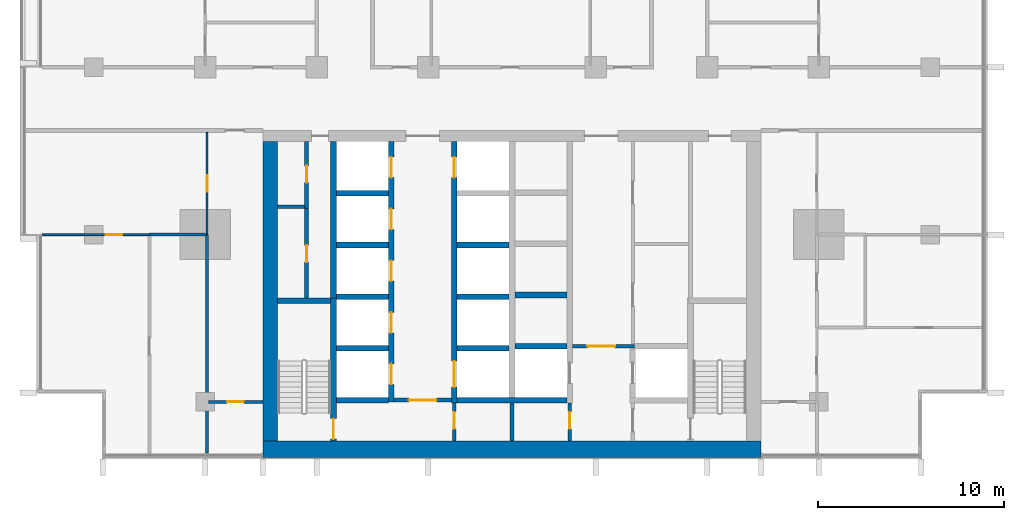
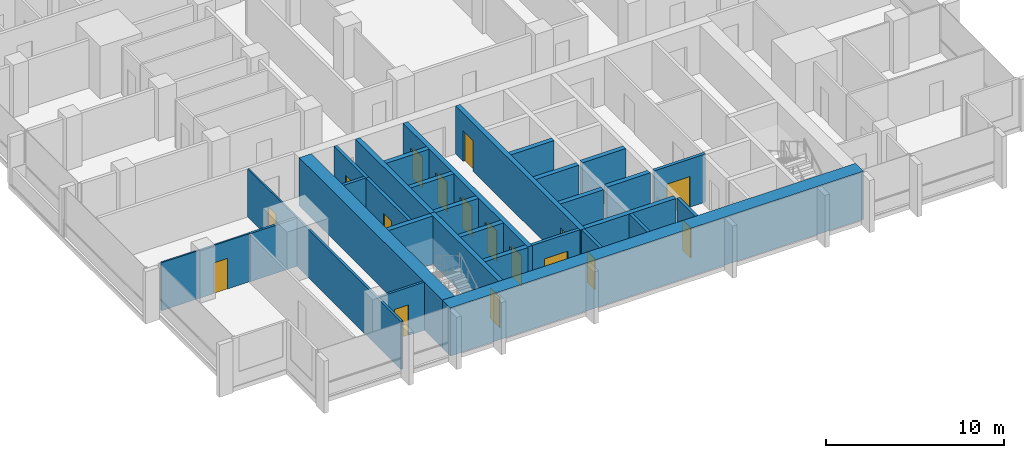
# One storey, part 7 of 17: 31 walls, 17 doors, 17 openings.
"""IFC4 building model written with IfcOpenShell, lengths in metres."""

from ifc_helpers import new_model, si_unit, direction, frame, frame_2d, origin, place, context, subcontext, project, spatial, rectangle, extrude, material, layer, layer_set, type_object, element, fill, save


model = new_model("IFC4")

# Units and contexts
model_context = context("Model", 3, precision=1e-05, world=origin(), true_north=direction((0.0, 1.0)))
body_context = subcontext(model_context, "Body", "Model", "MODEL_VIEW")
ifc_project = project(units=[si_unit("LENGTHUNIT", "METRE"), si_unit("AREAUNIT", "SQUARE_METRE"), si_unit("VOLUMEUNIT", "CUBIC_METRE"), si_unit("PLANEANGLEUNIT", "RADIAN"), si_unit("MASSUNIT", "GRAM", prefix="KILO")], contexts=[model_context])

# Site, building, storey
site_placement = place(None, origin())
site = spatial("IfcSite", under=ifc_project, at=site_placement, CompositionType="ELEMENT")
building_placement = place(site_placement, origin())
building = spatial("IfcBuilding", under=site, at=building_placement, Name="Finial Court Residences", CompositionType="ELEMENT")
storey_placement = place(building_placement, frame((0.0, 0.0, 124.300048828125)))
storey = spatial("IfcBuildingStorey", under=building, at=storey_placement, Name="L31", CompositionType="ELEMENT", Elevation=124.300048828125)

# Walls
ifc_material_1 = material(Name="Concrete C70/85", Category="concrete")
ifc_layer_1 = layer(ifc_material_1, 0.800048828125)
ifc_layer_set_1 = layer_set([ifc_layer_1], Name="Core outer wall 800 Concrete C70/85")
wall_type_1 = type_object("IfcWallType", Name="Core outer wall 800 Concrete C70/85", PredefinedType="SHEAR", material=ifc_layer_set_1)
wall_1_placement = place(storey_placement, frame((-13.0, -24.60009765625, 0.0), z_axis=(0.0, 0.0, 1.0), x_axis=(0.0, 1.0, 0.0)))
element("IfcWall", 1, at=wall_1_placement, inside=storey, type_object=wall_type_1, Name="Core outer wall L31-03", PredefinedType="SHEAR", context=body_context, shape_type="SweptSolid", body=[
    extrude(rectangle(XDim=16.10009765625, YDim=0.800048828125, at=frame_2d((8.050048828125, 0.0))), origin(), (0.0, 0.0, 1.0), 3.300048828125),
])
ifc_layer_2 = layer(ifc_material_1, 0.89990234375)
ifc_layer_set_2 = layer_set([ifc_layer_2], Name="Core south facade wall 900 Concrete C70/85")
wall_type_2 = type_object("IfcWallType", Name="Core south facade wall 900 Concrete C70/85", PredefinedType="SHEAR", material=ifc_layer_set_2)
wall_2_placement = place(storey_placement, frame((-13.39990234375, -25.050048828125, 0.0), z_axis=(0.0, 0.0, 1.0), x_axis=(1.0, 0.0, 0.0)))
element("IfcWall", 2, at=wall_2_placement, inside=storey, type_object=wall_type_2, Name="Core outer wall L31-01", PredefinedType="SHEAR", context=body_context, shape_type="SweptSolid", body=[
    extrude(rectangle(XDim=26.7998046875, YDim=0.89990234375, at=frame_2d((13.39990234375, 0.0))), origin(), (0.0, 0.0, 1.0), 3.300048828125),
])

# Wall, opening, door
ifc_material_2 = material(Name="Fire-rated gypsum board partition")
ifc_layer_3 = layer(ifc_material_2, 0.199951171875)
ifc_layer_set_3 = layer_set([ifc_layer_3], Name="Firefighting lobby wall 200 EI 120")
wall_type_3 = type_object("IfcWallType", Name="Firefighting lobby wall 200 EI 120", PredefinedType="PARTITIONING", material=ifc_layer_set_3)
wall_3_placement = place(storey_placement, frame((6.574951171875, -19.5, 0.0), z_axis=(0.0, 0.0, 1.0), x_axis=(-1.0, 0.0, 0.0)))
wall_3 = element("IfcWall", 3, at=wall_3_placement, inside=storey, type_object=wall_type_3, Name="Core partition L31-08", PredefinedType="PARTITIONING", context=body_context, shape_type="SweptSolid", body=[
    extrude(rectangle(XDim=3.324951171875, YDim=0.199951171875, at=frame_2d((1.66259765625, 0.0))), origin(), (0.0, 0.0, 1.0), 3.300048828125),
])
opening_1_placement = place(wall_3_placement, frame((1.02490234375, 0.0, 0.0)))
opening_1 = element("IfcOpeningElement", 4, at=opening_1_placement, cuts=wall_3, Name="Opening L31-C02", PredefinedType="OPENING", context=body_context, shape_type="SweptSolid", body=[
    extrude(rectangle(XDim=1.5, YDim=2.10009765625, at=frame_2d((0.75, 1.050048828125))), frame((0.0, 0.10986328125, 0.0), z_axis=(0.0, -1.0, 0.0), x_axis=(1.0, 0.0, 0.0)), (0.0, 0.0, 1.0), 0.219970703125),
])
ifc_material_3 = material(Name="Steel fire door", Category="steel")
door_type_1 = type_object("IfcDoorType", Name="Firefighting lobby door 1500 x 2100 EI 90", OperationType="DOUBLE_DOOR_SINGLE_SWING", PredefinedType="DOOR", material=ifc_material_3)
door_1_placement = place(opening_1_placement, origin())
door_1 = element("IfcDoor", 5, at=door_1_placement, inside=storey, type_object=door_type_1, Name="Firefighting lobby door L31-C02", OperationType="DOUBLE_DOOR_SINGLE_SWING", OverallHeight=2.10009765625, OverallWidth=1.5, PredefinedType="DOOR", context=body_context, shape_type="SweptSolid", body=[
    extrude(rectangle(XDim=1.5, YDim=2.10009765625, at=frame_2d((0.75, 1.050048828125))), frame((0.0, 0.02490234375, 0.0), z_axis=(0.0, -1.0, 0.0), x_axis=(1.0, 0.0, 0.0)), (0.0, 0.0, 1.0), 0.050048828125),
])
fill(opening_1, door_1)

wall_4_placement = place(storey_placement, frame((3.10009765625, -24.60009765625, 0.0), z_axis=(0.0, 0.0, 1.0), x_axis=(0.0, 1.0, 0.0)))
wall_4 = element("IfcWall", 6, at=wall_4_placement, inside=storey, type_object=wall_type_3, Name="Core partition L31-32", PredefinedType="PARTITIONING", context=body_context, shape_type="SweptSolid", body=[
    extrude(rectangle(XDim=2.050048828125, YDim=0.199951171875, at=frame_2d((1.02490234375, 0.0))), origin(), (0.0, 0.0, 1.0), 3.300048828125),
])
opening_2_placement = place(wall_4_placement, frame((0.64990234375, 0.0, 0.0)))
opening_2 = element("IfcOpeningElement", 7, at=opening_2_placement, cuts=wall_4, Name="Opening L31-C06", PredefinedType="OPENING", context=body_context, shape_type="SweptSolid", body=[
    extrude(rectangle(XDim=0.89990234375, YDim=2.10009765625, at=frame_2d((0.449951171875, 1.050048828125))), frame((0.0, 0.10986328125, 0.0), z_axis=(0.0, -1.0, 0.0), x_axis=(1.0, 0.0, 0.0)), (0.0, 0.0, 1.0), 0.219970703125),
])
door_type_2 = type_object("IfcDoorType", Name="Riser room door 900 x 2100 EI 90", OperationType="NOTDEFINED", PredefinedType="DOOR", material=ifc_material_3)
door_2_placement = place(opening_2_placement, origin())
door_2 = element("IfcDoor", 8, at=door_2_placement, inside=storey, type_object=door_type_2, Name="Riser room door L31-C06", OperationType="SINGLE_SWING_LEFT", OverallHeight=2.10009765625, OverallWidth=0.89990234375, PredefinedType="DOOR", context=body_context, shape_type="SweptSolid", body=[
    extrude(rectangle(XDim=0.89990234375, YDim=2.10009765625, at=frame_2d((0.449951171875, 1.050048828125))), frame((0.0, 0.02490234375, 0.0), z_axis=(0.0, -1.0, 0.0), x_axis=(1.0, 0.0, 0.0)), (0.0, 0.0, 1.0), 0.050048828125),
])
fill(opening_2, door_2)

ifc_material_4 = material(Name="Gypsum board")
ifc_layer_4 = layer(ifc_material_4, 0.012451171875)
ifc_material_5 = material(Name="Mineral wool in light-gauge frame")
ifc_layer_5 = layer(ifc_material_5, 0.074951171875)
ifc_layer_6 = layer(ifc_material_4, 0.012451171875)
ifc_layer_set_4 = layer_set([ifc_layer_4, ifc_layer_5, ifc_layer_6], Name="Gypsum board partition 100")
wall_type_4 = type_object("IfcWallType", Name="Gypsum board partition 100", PredefinedType="PARTITIONING", material=ifc_layer_set_4)
wall_5_placement = place(storey_placement, frame((-25.25, -13.5, 0.0), z_axis=(0.0, 0.0, 1.0), x_axis=(1.0, 0.0, 0.0)))
wall_5 = element("IfcWall", 9, at=wall_5_placement, inside=storey, type_object=wall_type_4, Name="Partition L31-004", PredefinedType="PARTITIONING", context=body_context, shape_type="SweptSolid", body=[
    extrude(rectangle(XDim=5.75, YDim=0.10009765625, at=frame_2d((2.875, 0.0))), origin(), (0.0, 0.0, 1.0), 3.300048828125),
])
opening_3_placement = place(wall_5_placement, frame((3.39990234375, 0.0, 0.0)))
opening_3 = element("IfcOpeningElement", 10, at=opening_3_placement, cuts=wall_5, Name="Opening L31-D004", PredefinedType="OPENING", context=body_context, shape_type="SweptSolid", body=[
    extrude(rectangle(XDim=0.89990234375, YDim=2.10009765625, at=frame_2d((0.449951171875, 1.050048828125))), frame((0.0, 0.06005859375, 0.0), z_axis=(0.0, -1.0, 0.0), x_axis=(1.0, 0.0, 0.0)), (0.0, 0.0, 1.0), 0.1201171875),
])
ifc_material_6 = material(Name="Timber door leaf in timber frame", Category="wood")
door_type_3 = type_object("IfcDoorType", Name="Door set 900 x 2100", OperationType="SINGLE_SWING_LEFT", PredefinedType="DOOR", material=ifc_material_6)
door_3_placement = place(opening_3_placement, origin())
door_3 = element("IfcDoor", 11, at=door_3_placement, inside=storey, type_object=door_type_3, Name="Door L31-D004", OperationType="SINGLE_SWING_RIGHT", OverallHeight=2.10009765625, OverallWidth=0.89990234375, PredefinedType="DOOR", context=body_context, shape_type="SweptSolid", body=[
    extrude(rectangle(XDim=0.89990234375, YDim=2.10009765625, at=frame_2d((0.449951171875, 1.050048828125))), frame((0.0, 0.02490234375, 0.0), z_axis=(0.0, -1.0, 0.0), x_axis=(1.0, 0.0, 0.0)), (0.0, 0.0, 1.0), 0.050048828125),
])
fill(opening_3, door_3)

wall_6_placement = place(storey_placement, frame((-16.39990234375, -13.5, 0.0), z_axis=(0.0, 0.0, 1.0), x_axis=(0.0, 1.0, 0.0)))
wall_6 = element("IfcWall", 12, at=wall_6_placement, inside=storey, type_object=wall_type_4, Name="Partition L31-052", PredefinedType="PARTITIONING", context=body_context, shape_type="SweptSolid", body=[
    extrude(rectangle(XDim=5.5, YDim=0.10009765625, at=frame_2d((2.75, 0.0))), origin(), (0.0, 0.0, 1.0), 3.300048828125),
])
opening_4_placement = place(wall_6_placement, frame((2.300048828125, 0.0, 0.0)))
opening_4 = element("IfcOpeningElement", 13, at=opening_4_placement, cuts=wall_6, Name="Opening L31-D029", PredefinedType="OPENING", context=body_context, shape_type="SweptSolid", body=[
    extrude(rectangle(XDim=0.89990234375, YDim=2.10009765625, at=frame_2d((0.449951171875, 1.050048828125))), frame((0.0, 0.06005859375, 0.0), z_axis=(0.0, -1.0, 0.0), x_axis=(1.0, 0.0, 0.0)), (0.0, 0.0, 1.0), 0.1201171875),
])
door_4_placement = place(opening_4_placement, origin())
door_4 = element("IfcDoor", 14, at=door_4_placement, inside=storey, type_object=door_type_3, Name="Door L31-D029", OperationType="SINGLE_SWING_LEFT", OverallHeight=2.10009765625, OverallWidth=0.89990234375, PredefinedType="DOOR", context=body_context, shape_type="SweptSolid", body=[
    extrude(rectangle(XDim=0.89990234375, YDim=2.10009765625, at=frame_2d((0.449951171875, 1.050048828125))), frame((0.0, 0.02490234375, 0.0), z_axis=(0.0, -1.0, 0.0), x_axis=(1.0, 0.0, 0.0)), (0.0, 0.0, 1.0), 0.050048828125),
])
fill(opening_4, door_4)

ifc_material_7 = material(Name="Moisture-resistant gypsum board")
ifc_layer_7 = layer(ifc_material_7, 0.012451171875)
ifc_layer_8 = layer(ifc_material_5, 0.125)
ifc_layer_9 = layer(ifc_material_7, 0.012451171875)
ifc_layer_set_5 = layer_set([ifc_layer_7, ifc_layer_8, ifc_layer_9], Name="Gypsum board wet-area partition 150")
wall_type_5 = type_object("IfcWallType", Name="Gypsum board wet-area partition 150", PredefinedType="PARTITIONING", material=ifc_layer_set_5)
wall_7_placement = place(storey_placement, frame((-16.324951171875, -22.5, 0.0), z_axis=(0.0, 0.0, 1.0), x_axis=(1.0, 0.0, 0.0)))
wall_7 = element("IfcWall", 15, at=wall_7_placement, inside=storey, type_object=wall_type_5, Name="Partition L31-000", PredefinedType="PARTITIONING", context=body_context, shape_type="SweptSolid", body=[
    extrude(rectangle(XDim=2.925048828125, YDim=0.14990234375, at=frame_2d((1.46240234375, 0.0))), origin(), (0.0, 0.0, 1.0), 3.300048828125),
])
opening_5_placement = place(wall_7_placement, frame((1.0, 0.0, 0.0)))
opening_5 = element("IfcOpeningElement", 16, at=opening_5_placement, cuts=wall_7, Name="Opening L31-D001", PredefinedType="OPENING", context=body_context, shape_type="SweptSolid", body=[
    extrude(rectangle(XDim=0.89990234375, YDim=2.10009765625, at=frame_2d((0.449951171875, 1.050048828125))), frame((0.0, 0.0849609375, 0.0), z_axis=(0.0, -1.0, 0.0), x_axis=(1.0, 0.0, 0.0)), (0.0, 0.0, 1.0), 0.169921875),
])
door_5_placement = place(opening_5_placement, origin())
door_5 = element("IfcDoor", 17, at=door_5_placement, inside=storey, type_object=door_type_3, Name="Door L31-D001", OperationType="SINGLE_SWING_LEFT", OverallHeight=2.10009765625, OverallWidth=0.89990234375, PredefinedType="DOOR", context=body_context, shape_type="SweptSolid", body=[
    extrude(rectangle(XDim=0.89990234375, YDim=2.10009765625, at=frame_2d((0.449951171875, 1.050048828125))), frame((0.0, 0.02490234375, 0.0), z_axis=(0.0, -1.0, 0.0), x_axis=(1.0, 0.0, 0.0)), (0.0, 0.0, 1.0), 0.050048828125),
])
fill(opening_5, door_5)

# Walls
wall_8_placement = place(storey_placement, frame((-19.5, -13.5, 0.0), z_axis=(0.0, 0.0, 1.0), x_axis=(1.0, 0.0, 0.0)))
element("IfcWall", 18, at=wall_8_placement, inside=storey, type_object=wall_type_5, Name="Partition L31-006", PredefinedType="PARTITIONING", context=body_context, shape_type="SweptSolid", body=[
    extrude(rectangle(XDim=3.02490234375, YDim=0.14990234375, at=frame_2d((1.512451171875, 0.0))), origin(), (0.0, 0.0, 1.0), 3.300048828125),
])
wall_9_placement = place(storey_placement, frame((-16.39990234375, -25.25, 0.0), z_axis=(0.0, 0.0, 1.0), x_axis=(0.0, 1.0, 0.0)))
element("IfcWall", 19, at=wall_9_placement, inside=storey, type_object=wall_type_5, Name="Partition L31-053", PredefinedType="PARTITIONING", context=body_context, shape_type="SweptSolid", body=[
    extrude(rectangle(XDim=11.75, YDim=0.14990234375, at=frame_2d((5.875, 0.0))), origin(), (0.0, 0.0, 1.0), 3.300048828125),
])
ifc_layer_10 = layer(ifc_material_1, 0.300048828125)
ifc_layer_set_6 = layer_set([ifc_layer_10], Name="Lift shaft and stair wall 300 Concrete C70/85")
wall_type_6 = type_object("IfcWallType", Name="Lift shaft and stair wall 300 Concrete C70/85", PredefinedType="SHEAR", material=ifc_layer_set_6)
wall_10_placement = place(storey_placement, frame((-9.449951171875, -22.39990234375, 0.0), z_axis=(0.0, 0.0, 1.0), x_axis=(1.0, 0.0, 0.0)))
element("IfcWall", 20, at=wall_10_placement, inside=storey, type_object=wall_type_6, Name="Core wall L31-01", PredefinedType="SHEAR", context=body_context, shape_type="SweptSolid", body=[
    extrude(rectangle(XDim=2.800048828125, YDim=0.300048828125, at=frame_2d((1.39990234375, 0.0))), origin(), (0.0, 0.0, 1.0), 3.300048828125),
])
wall_11_placement = place(storey_placement, frame((-2.949951171875, -22.39990234375, 0.0), z_axis=(0.0, 0.0, 1.0), x_axis=(1.0, 0.0, 0.0)))
element("IfcWall", 21, at=wall_11_placement, inside=storey, type_object=wall_type_6, Name="Core wall L31-03", PredefinedType="SHEAR", context=body_context, shape_type="SweptSolid", body=[
    extrude(rectangle(XDim=5.89990234375, YDim=0.300048828125, at=frame_2d((2.949951171875, 0.0))), origin(), (0.0, 0.0, 1.0), 3.300048828125),
])
for number, where, z_axis, x_axis, name in (
    (22, (-9.449951171875, -19.6201171875, 0.0), (0.0, 0.0, 1.0), (1.0, 0.0, 0.0), "Core wall L31-05"),
    (23, (-2.949951171875, -19.6201171875, 0.0), (0.0, 0.0, 1.0), (1.0, 0.0, 0.0), "Core wall L31-06"),
    (24, (0.14990234375, -19.5, 0.0), (0.0, 0.0, 1.0), (1.0, 0.0, 0.0), "Core wall L31-07"),
):
    element("IfcWall", number, at=place(storey_placement, frame(where, z_axis=z_axis, x_axis=x_axis)), inside=storey, type_object=wall_type_6, Name=name, PredefinedType="SHEAR", context=body_context, shape_type="SweptSolid", body=[
        extrude(rectangle(XDim=2.800048828125, YDim=0.300048828125, at=frame_2d((1.39990234375, 0.0))), origin(), (0.0, 0.0, 1.0), 3.300048828125),
    ])
wall_12_placement = place(storey_placement, frame((-12.60009765625, -17.050048828125, 0.0), z_axis=(0.0, 0.0, 1.0), x_axis=(1.0, 0.0, 0.0)))
element("IfcWall", 25, at=wall_12_placement, inside=storey, type_object=wall_type_6, Name="Core wall L31-10", PredefinedType="SHEAR", context=body_context, shape_type="SweptSolid", body=[
    extrude(rectangle(XDim=2.85009765625, YDim=0.300048828125, at=frame_2d((1.425048828125, 0.0))), origin(), (0.0, 0.0, 1.0), 3.300048828125),
])
for number, where, z_axis, x_axis, name in (
    (26, (-9.449951171875, -16.840087890625, 0.0), (0.0, 0.0, 1.0), (1.0, 0.0, 0.0), "Core wall L31-12"),
    (27, (-2.949951171875, -16.840087890625, 0.0), (0.0, 0.0, 1.0), (1.0, 0.0, 0.0), "Core wall L31-13"),
    (28, (0.14990234375, -16.75, 0.0), (0.0, 0.0, 1.0), (1.0, 0.0, 0.0), "Core wall L31-14"),
    (29, (-9.449951171875, -14.06005859375, 0.0), (0.0, 0.0, 1.0), (1.0, 0.0, 0.0), "Core wall L31-15"),
    (30, (-2.949951171875, -14.06005859375, 0.0), (0.0, 0.0, 1.0), (1.0, 0.0, 0.0), "Core wall L31-16"),
    (31, (-9.449951171875, -11.280029296875, 0.0), (0.0, 0.0, 1.0), (1.0, 0.0, 0.0), "Core wall L31-20"),
):
    element("IfcWall", number, at=place(storey_placement, frame(where, z_axis=z_axis, x_axis=x_axis)), inside=storey, type_object=wall_type_6, Name=name, PredefinedType="SHEAR", context=body_context, shape_type="SweptSolid", body=[
        extrude(rectangle(XDim=2.800048828125, YDim=0.300048828125, at=frame_2d((1.39990234375, 0.0))), origin(), (0.0, 0.0, 1.0), 3.300048828125),
    ])

# Wall, opening, door
wall_13_placement = place(storey_placement, frame((-9.60009765625, -24.60009765625, 0.0), z_axis=(0.0, 0.0, 1.0), x_axis=(0.0, 1.0, 0.0)))
wall_13 = element("IfcWall", 32, at=wall_13_placement, inside=storey, type_object=wall_type_6, Name="Core wall L31-25", PredefinedType="SHEAR", context=body_context, shape_type="SweptSolid", body=[
    extrude(rectangle(XDim=7.7001953125, YDim=0.300048828125, at=frame_2d((3.85009765625, 0.0))), origin(), (0.0, 0.0, 1.0), 3.300048828125),
])
opening_6_placement = place(wall_13_placement, frame((0.10009765625, 0.0, 0.0)))
opening_6 = element("IfcOpeningElement", 33, at=opening_6_placement, cuts=wall_13, Name="Opening L31-C14", PredefinedType="OPENING", context=body_context, shape_type="SweptSolid", body=[
    extrude(rectangle(XDim=1.10009765625, YDim=2.10009765625, at=frame_2d((0.550048828125, 1.050048828125))), frame((0.0, 0.159912109375, 0.0), z_axis=(0.0, -1.0, 0.0), x_axis=(1.0, 0.0, 0.0)), (0.0, 0.0, 1.0), 0.320068359375),
])
door_type_4 = type_object("IfcDoorType", Name="Stair door 1100 x 2100 EI 90", OperationType="NOTDEFINED", PredefinedType="DOOR", material=ifc_material_3)
door_6_placement = place(opening_6_placement, origin())
door_6 = element("IfcDoor", 34, at=door_6_placement, inside=storey, type_object=door_type_4, Name="Stair door L31-C14", OperationType="SINGLE_SWING_LEFT", OverallHeight=2.10009765625, OverallWidth=1.10009765625, PredefinedType="DOOR", context=body_context, shape_type="SweptSolid", body=[
    extrude(rectangle(XDim=1.10009765625, YDim=2.10009765625, at=frame_2d((0.550048828125, 1.050048828125))), frame((0.0, 0.02490234375, 0.0), z_axis=(0.0, -1.0, 0.0), x_axis=(1.0, 0.0, 0.0)), (0.0, 0.0, 1.0), 0.050048828125),
])
fill(opening_6, door_6)

# Wall
wall_14_placement = place(storey_placement, frame((-9.60009765625, -17.199951171875, 0.0), z_axis=(0.0, 0.0, 1.0), x_axis=(0.0, 1.0, 0.0)))
element("IfcWall", 35, at=wall_14_placement, inside=storey, type_object=wall_type_6, Name="Core wall L31-26", PredefinedType="SHEAR", context=body_context, shape_type="SweptSolid", body=[
    extrude(rectangle(XDim=8.699951171875, YDim=0.300048828125, at=frame_2d((4.35009765625, 0.0))), origin(), (0.0, 0.0, 1.0), 3.300048828125),
])

# Wall, openings, doors
wall_15_placement = place(storey_placement, frame((-6.5, -22.5, 0.0), z_axis=(0.0, 0.0, 1.0), x_axis=(0.0, 1.0, 0.0)))
wall_15 = element("IfcWall", 36, at=wall_15_placement, inside=storey, type_object=wall_type_6, Name="Core wall L31-27", PredefinedType="SHEAR", context=body_context, shape_type="SweptSolid", body=[
    extrude(rectangle(XDim=14.0, YDim=0.300048828125, at=frame_2d((7.0, 0.0))), origin(), (0.0, 0.0, 1.0), 3.300048828125),
])
opening_7_placement = place(wall_15_placement, frame((0.93994140625, 0.0, 0.0)))
opening_7 = element("IfcOpeningElement", 37, at=opening_7_placement, cuts=wall_15, Name="Opening L31-LD03", PredefinedType="OPENING", context=body_context, shape_type="SweptSolid", body=[
    extrude(rectangle(XDim=1.10009765625, YDim=2.10009765625, at=frame_2d((0.550048828125, 1.050048828125))), frame((0.0, 0.159912109375, 0.0), z_axis=(0.0, -1.0, 0.0), x_axis=(1.0, 0.0, 0.0)), (0.0, 0.0, 1.0), 0.320068359375),
])
opening_8_placement = place(wall_15_placement, frame((3.719970703125, 0.0, 0.0)))
opening_8 = element("IfcOpeningElement", 38, at=opening_8_placement, cuts=wall_15, Name="Opening L31-LD04", PredefinedType="OPENING", context=body_context, shape_type="SweptSolid", body=[
    extrude(rectangle(XDim=1.10009765625, YDim=2.10009765625, at=frame_2d((0.550048828125, 1.050048828125))), frame((0.0, 0.159912109375, 0.0), z_axis=(0.0, -1.0, 0.0), x_axis=(1.0, 0.0, 0.0)), (0.0, 0.0, 1.0), 0.320068359375),
])
opening_9_placement = place(wall_15_placement, frame((6.5, 0.0, 0.0)))
opening_9 = element("IfcOpeningElement", 39, at=opening_9_placement, cuts=wall_15, Name="Opening L31-LD05", PredefinedType="OPENING", context=body_context, shape_type="SweptSolid", body=[
    extrude(rectangle(XDim=1.10009765625, YDim=2.10009765625, at=frame_2d((0.550048828125, 1.050048828125))), frame((0.0, 0.159912109375, 0.0), z_axis=(0.0, -1.0, 0.0), x_axis=(1.0, 0.0, 0.0)), (0.0, 0.0, 1.0), 0.320068359375),
])
opening_10_placement = place(wall_15_placement, frame((9.280029296875, 0.0, 0.0)))
opening_10 = element("IfcOpeningElement", 40, at=opening_10_placement, cuts=wall_15, Name="Opening L31-LD06", PredefinedType="OPENING", context=body_context, shape_type="SweptSolid", body=[
    extrude(rectangle(XDim=1.10009765625, YDim=2.10009765625, at=frame_2d((0.550048828125, 1.050048828125))), frame((0.0, 0.159912109375, 0.0), z_axis=(0.0, -1.0, 0.0), x_axis=(1.0, 0.0, 0.0)), (0.0, 0.0, 1.0), 0.320068359375),
])
opening_11_placement = place(wall_15_placement, frame((12.06005859375, 0.0, 0.0)))
opening_11 = element("IfcOpeningElement", 41, at=opening_11_placement, cuts=wall_15, Name="Opening L31-LD07", PredefinedType="OPENING", context=body_context, shape_type="SweptSolid", body=[
    extrude(rectangle(XDim=1.10009765625, YDim=2.10009765625, at=frame_2d((0.550048828125, 1.050048828125))), frame((0.0, 0.159912109375, 0.0), z_axis=(0.0, -1.0, 0.0), x_axis=(1.0, 0.0, 0.0)), (0.0, 0.0, 1.0), 0.320068359375),
])
ifc_material_8 = material(Name="Stainless steel lift door", Category="steel")
door_type_5 = type_object("IfcDoorType", Name="Lift landing door 1100 x 2100 EI 90", OperationType="DOUBLE_DOOR_SLIDING", PredefinedType="DOOR", material=ifc_material_8)
door_7_placement = place(opening_7_placement, origin())
door_7 = element("IfcDoor", 42, at=door_7_placement, inside=storey, type_object=door_type_5, Name="Lift landing door LR1 L31", OperationType="DOUBLE_DOOR_SLIDING", OverallHeight=2.10009765625, OverallWidth=1.10009765625, PredefinedType="DOOR", context=body_context, shape_type="SweptSolid", body=[
    extrude(rectangle(XDim=1.10009765625, YDim=2.10009765625, at=frame_2d((0.550048828125, 1.050048828125))), frame((0.0, 0.02490234375, 0.0), z_axis=(0.0, -1.0, 0.0), x_axis=(1.0, 0.0, 0.0)), (0.0, 0.0, 1.0), 0.050048828125),
])
fill(opening_7, door_7)
door_8_placement = place(opening_8_placement, origin())
door_8 = element("IfcDoor", 43, at=door_8_placement, inside=storey, type_object=door_type_5, Name="Lift landing door LR2 L31", OperationType="DOUBLE_DOOR_SLIDING", OverallHeight=2.10009765625, OverallWidth=1.10009765625, PredefinedType="DOOR", context=body_context, shape_type="SweptSolid", body=[
    extrude(rectangle(XDim=1.10009765625, YDim=2.10009765625, at=frame_2d((0.550048828125, 1.050048828125))), frame((0.0, 0.02490234375, 0.0), z_axis=(0.0, -1.0, 0.0), x_axis=(1.0, 0.0, 0.0)), (0.0, 0.0, 1.0), 0.050048828125),
])
fill(opening_8, door_8)
door_9_placement = place(opening_9_placement, origin())
door_9 = element("IfcDoor", 44, at=door_9_placement, inside=storey, type_object=door_type_5, Name="Lift landing door LR3 L31", OperationType="DOUBLE_DOOR_SLIDING", OverallHeight=2.10009765625, OverallWidth=1.10009765625, PredefinedType="DOOR", context=body_context, shape_type="SweptSolid", body=[
    extrude(rectangle(XDim=1.10009765625, YDim=2.10009765625, at=frame_2d((0.550048828125, 1.050048828125))), frame((0.0, 0.02490234375, 0.0), z_axis=(0.0, -1.0, 0.0), x_axis=(1.0, 0.0, 0.0)), (0.0, 0.0, 1.0), 0.050048828125),
])
fill(opening_9, door_9)
door_10_placement = place(opening_10_placement, origin())
door_10 = element("IfcDoor", 45, at=door_10_placement, inside=storey, type_object=door_type_5, Name="Lift landing door LR4 L31", OperationType="DOUBLE_DOOR_SLIDING", OverallHeight=2.10009765625, OverallWidth=1.10009765625, PredefinedType="DOOR", context=body_context, shape_type="SweptSolid", body=[
    extrude(rectangle(XDim=1.10009765625, YDim=2.10009765625, at=frame_2d((0.550048828125, 1.050048828125))), frame((0.0, 0.02490234375, 0.0), z_axis=(0.0, -1.0, 0.0), x_axis=(1.0, 0.0, 0.0)), (0.0, 0.0, 1.0), 0.050048828125),
])
fill(opening_10, door_10)
door_11_placement = place(opening_11_placement, origin())
door_11 = element("IfcDoor", 46, at=door_11_placement, inside=storey, type_object=door_type_5, Name="Lift landing door LR5 L31", OperationType="DOUBLE_DOOR_SLIDING", OverallHeight=2.10009765625, OverallWidth=1.10009765625, PredefinedType="DOOR", context=body_context, shape_type="SweptSolid", body=[
    extrude(rectangle(XDim=1.10009765625, YDim=2.10009765625, at=frame_2d((0.550048828125, 1.050048828125))), frame((0.0, 0.02490234375, 0.0), z_axis=(0.0, -1.0, 0.0), x_axis=(1.0, 0.0, 0.0)), (0.0, 0.0, 1.0), 0.050048828125),
])
fill(opening_11, door_11)

wall_16_placement = place(storey_placement, frame((-3.10009765625, -22.550048828125, 0.0), z_axis=(0.0, 0.0, 1.0), x_axis=(0.0, 1.0, 0.0)))
wall_16 = element("IfcWall", 47, at=wall_16_placement, inside=storey, type_object=wall_type_6, Name="Core wall L31-29", PredefinedType="SHEAR", context=body_context, shape_type="SweptSolid", body=[
    extrude(rectangle(XDim=14.050048828125, YDim=0.300048828125, at=frame_2d((7.02490234375, 0.0))), origin(), (0.0, 0.0, 1.0), 3.300048828125),
])
opening_12_placement = place(wall_16_placement, frame((12.110107421875, 0.0, 0.0)))
opening_12 = element("IfcOpeningElement", 48, at=opening_12_placement, cuts=wall_16, Name="Opening L31-LD08", PredefinedType="OPENING", context=body_context, shape_type="SweptSolid", body=[
    extrude(rectangle(XDim=1.10009765625, YDim=2.10009765625, at=frame_2d((0.550048828125, 1.050048828125))), frame((0.0, 0.159912109375, 0.0), z_axis=(0.0, -1.0, 0.0), x_axis=(1.0, 0.0, 0.0)), (0.0, 0.0, 1.0), 0.320068359375),
])
opening_13_placement = place(wall_16_placement, frame((0.840087890625, 0.0, 0.0)))
opening_13 = element("IfcOpeningElement", 49, at=opening_13_placement, cuts=wall_16, Name="Opening L31-LD09", PredefinedType="OPENING", context=body_context, shape_type="SweptSolid", body=[
    extrude(rectangle(XDim=1.39990234375, YDim=2.10009765625, at=frame_2d((0.699951171875, 1.050048828125))), frame((0.0, 0.159912109375, 0.0), z_axis=(0.0, -1.0, 0.0), x_axis=(1.0, 0.0, 0.0)), (0.0, 0.0, 1.0), 0.320068359375),
])
door_12_placement = place(opening_12_placement, origin())
door_12 = element("IfcDoor", 50, at=door_12_placement, inside=storey, type_object=door_type_5, Name="Lift landing door LR6 L31", OperationType="DOUBLE_DOOR_SLIDING", OverallHeight=2.10009765625, OverallWidth=1.10009765625, PredefinedType="DOOR", context=body_context, shape_type="SweptSolid", body=[
    extrude(rectangle(XDim=1.10009765625, YDim=2.10009765625, at=frame_2d((0.550048828125, 1.050048828125))), frame((0.0, 0.02490234375, 0.0), z_axis=(0.0, -1.0, 0.0), x_axis=(1.0, 0.0, 0.0)), (0.0, 0.0, 1.0), 0.050048828125),
])
fill(opening_12, door_12)
door_type_6 = type_object("IfcDoorType", Name="Lift landing door 1400 x 2100 EI 90", OperationType="DOUBLE_DOOR_SLIDING", PredefinedType="DOOR", material=ifc_material_8)
door_13_placement = place(opening_13_placement, origin())
door_13 = element("IfcDoor", 51, at=door_13_placement, inside=storey, type_object=door_type_6, Name="Lift landing door SV1 L31", OperationType="DOUBLE_DOOR_SLIDING", OverallHeight=2.10009765625, OverallWidth=1.39990234375, PredefinedType="DOOR", context=body_context, shape_type="SweptSolid", body=[
    extrude(rectangle(XDim=1.39990234375, YDim=2.10009765625, at=frame_2d((0.699951171875, 1.050048828125))), frame((0.0, 0.02490234375, 0.0), z_axis=(0.0, -1.0, 0.0), x_axis=(1.0, 0.0, 0.0)), (0.0, 0.0, 1.0), 0.050048828125),
])
fill(opening_13, door_13)

# Wall
ifc_layer_11 = layer(ifc_material_2, 0.199951171875)
ifc_layer_set_7 = layer_set([ifc_layer_11], Name="Riser room wall 200 EI 120")
wall_type_7 = type_object("IfcWallType", Name="Riser room wall 200 EI 120", PredefinedType="PARTITIONING", material=ifc_layer_set_7)
wall_17_placement = place(storey_placement, frame((-12.60009765625, -12.0, 0.0), z_axis=(0.0, 0.0, 1.0), x_axis=(1.0, 0.0, 0.0)))
element("IfcWall", 52, at=wall_17_placement, inside=storey, type_object=wall_type_7, Name="Core partition L31-19", PredefinedType="PARTITIONING", context=body_context, shape_type="SweptSolid", body=[
    extrude(rectangle(XDim=1.4501953125, YDim=0.199951171875, at=frame_2d((0.72509765625, 0.0))), origin(), (0.0, 0.0, 1.0), 3.300048828125),
])

# Wall, opening, door
wall_18_placement = place(storey_placement, frame((-11.050048828125, -12.10009765625, 0.0), z_axis=(0.0, 0.0, 1.0), x_axis=(0.0, 1.0, 0.0)))
wall_18 = element("IfcWall", 53, at=wall_18_placement, inside=storey, type_object=wall_type_7, Name="Core partition L31-24", PredefinedType="PARTITIONING", context=body_context, shape_type="SweptSolid", body=[
    extrude(rectangle(XDim=3.60009765625, YDim=0.199951171875, at=frame_2d((1.800048828125, 0.0))), origin(), (0.0, 0.0, 1.0), 3.300048828125),
])
opening_14_placement = place(wall_18_placement, frame((1.39990234375, 0.0, 0.0)))
opening_14 = element("IfcOpeningElement", 54, at=opening_14_placement, cuts=wall_18, Name="Opening L31-C07", PredefinedType="OPENING", context=body_context, shape_type="SweptSolid", body=[
    extrude(rectangle(XDim=0.89990234375, YDim=2.10009765625, at=frame_2d((0.449951171875, 1.050048828125))), frame((0.0, 0.10986328125, 0.0), z_axis=(0.0, -1.0, 0.0), x_axis=(1.0, 0.0, 0.0)), (0.0, 0.0, 1.0), 0.219970703125),
])
door_14_placement = place(opening_14_placement, origin())
door_14 = element("IfcDoor", 55, at=door_14_placement, inside=storey, type_object=door_type_2, Name="Riser room door L31-C07", OperationType="SINGLE_SWING_LEFT", OverallHeight=2.10009765625, OverallWidth=0.89990234375, PredefinedType="DOOR", context=body_context, shape_type="SweptSolid", body=[
    extrude(rectangle(XDim=0.89990234375, YDim=2.10009765625, at=frame_2d((0.449951171875, 1.050048828125))), frame((0.0, 0.02490234375, 0.0), z_axis=(0.0, -1.0, 0.0), x_axis=(1.0, 0.0, 0.0)), (0.0, 0.0, 1.0), 0.050048828125),
])
fill(opening_14, door_14)

# Wall
wall_19_placement = place(storey_placement, frame((0.0, -24.60009765625, 0.0), z_axis=(0.0, 0.0, 1.0), x_axis=(0.0, 1.0, 0.0)))
element("IfcWall", 56, at=wall_19_placement, inside=storey, type_object=wall_type_7, Name="Core partition L31-30", PredefinedType="PARTITIONING", context=body_context, shape_type="SweptSolid", body=[
    extrude(rectangle(XDim=2.050048828125, YDim=0.199951171875, at=frame_2d((1.02490234375, 0.0))), origin(), (0.0, 0.0, 1.0), 3.300048828125),
])

# Wall, opening, door
ifc_layer_12 = layer(ifc_material_2, 0.199951171875)
ifc_layer_set_8 = layer_set([ifc_layer_12], Name="Stair passage wall 200 EI 180")
wall_type_8 = type_object("IfcWallType", Name="Stair passage wall 200 EI 180", PredefinedType="PARTITIONING", material=ifc_layer_set_8)
wall_20_placement = place(storey_placement, frame((-3.25, -22.39990234375, 0.0), z_axis=(0.0, 0.0, 1.0), x_axis=(-1.0, 0.0, 0.0)))
wall_20 = element("IfcWall", 57, at=wall_20_placement, inside=storey, type_object=wall_type_8, Name="Core partition L31-02", PredefinedType="PARTITIONING", context=body_context, shape_type="SweptSolid", body=[
    extrude(rectangle(XDim=3.10009765625, YDim=0.199951171875, at=frame_2d((1.550048828125, 0.0))), origin(), (0.0, 0.0, 1.0), 3.300048828125),
])
opening_15_placement = place(wall_20_placement, frame((0.800048828125, 0.0, 0.0)))
opening_15 = element("IfcOpeningElement", 58, at=opening_15_placement, cuts=wall_20, Name="Opening L31-C03", PredefinedType="OPENING", context=body_context, shape_type="SweptSolid", body=[
    extrude(rectangle(XDim=1.5, YDim=2.10009765625, at=frame_2d((0.75, 1.050048828125))), frame((0.0, 0.10986328125, 0.0), z_axis=(0.0, -1.0, 0.0), x_axis=(1.0, 0.0, 0.0)), (0.0, 0.0, 1.0), 0.219970703125),
])
door_type_7 = type_object("IfcDoorType", Name="Lift lobby door 1500 x 2100 EI 60", OperationType="DOUBLE_DOOR_SINGLE_SWING", PredefinedType="DOOR", material=ifc_material_3)
door_15_placement = place(opening_15_placement, origin())
door_15 = element("IfcDoor", 59, at=door_15_placement, inside=storey, type_object=door_type_7, Name="Lift lobby door L31-C03", OperationType="DOUBLE_DOOR_SINGLE_SWING", OverallHeight=2.10009765625, OverallWidth=1.5, PredefinedType="DOOR", context=body_context, shape_type="SweptSolid", body=[
    extrude(rectangle(XDim=1.5, YDim=2.10009765625, at=frame_2d((0.75, 1.050048828125))), frame((0.0, 0.02490234375, 0.0), z_axis=(0.0, -1.0, 0.0), x_axis=(1.0, 0.0, 0.0)), (0.0, 0.0, 1.0), 0.050048828125),
])
fill(opening_15, door_15)

wall_21_placement = place(storey_placement, frame((-11.050048828125, -16.89990234375, 0.0), z_axis=(0.0, 0.0, 1.0), x_axis=(0.0, 1.0, 0.0)))
wall_21 = element("IfcWall", 60, at=wall_21_placement, inside=storey, type_object=wall_type_8, Name="Core partition L31-23", PredefinedType="PARTITIONING", context=body_context, shape_type="SweptSolid", body=[
    extrude(rectangle(XDim=5.0, YDim=0.199951171875, at=frame_2d((2.5, 0.0))), origin(), (0.0, 0.0, 1.0), 3.300048828125),
])
opening_16_placement = place(wall_21_placement, frame((1.925048828125, 0.0, 0.0)))
opening_16 = element("IfcOpeningElement", 61, at=opening_16_placement, cuts=wall_21, Name="Opening L31-C11", PredefinedType="OPENING", context=body_context, shape_type="SweptSolid", body=[
    extrude(rectangle(XDim=0.89990234375, YDim=2.10009765625, at=frame_2d((0.449951171875, 1.050048828125))), frame((0.0, 0.10986328125, 0.0), z_axis=(0.0, -1.0, 0.0), x_axis=(1.0, 0.0, 0.0)), (0.0, 0.0, 1.0), 0.219970703125),
])
door_type_8 = type_object("IfcDoorType", Name="Core room door 900 x 2100 EI 60", OperationType="NOTDEFINED", PredefinedType="DOOR", material=ifc_material_3)
door_16_placement = place(opening_16_placement, origin())
door_16 = element("IfcDoor", 62, at=door_16_placement, inside=storey, type_object=door_type_8, Name="Core room door L31-C11", OperationType="SINGLE_SWING_LEFT", OverallHeight=2.10009765625, OverallWidth=0.89990234375, PredefinedType="DOOR", context=body_context, shape_type="SweptSolid", body=[
    extrude(rectangle(XDim=0.89990234375, YDim=2.10009765625, at=frame_2d((0.449951171875, 1.050048828125))), frame((0.0, 0.02490234375, 0.0), z_axis=(0.0, -1.0, 0.0), x_axis=(1.0, 0.0, 0.0)), (0.0, 0.0, 1.0), 0.050048828125),
])
fill(opening_16, door_16)

wall_22_placement = place(storey_placement, frame((-3.10009765625, -22.550048828125, 0.0), z_axis=(0.0, 0.0, 1.0), x_axis=(0.0, -1.0, 0.0)))
wall_22 = element("IfcWall", 63, at=wall_22_placement, inside=storey, type_object=wall_type_8, Name="Core partition L31-28", PredefinedType="PARTITIONING", context=body_context, shape_type="SweptSolid", body=[
    extrude(rectangle(XDim=2.050048828125, YDim=0.199951171875, at=frame_2d((1.02490234375, 0.0))), origin(), (0.0, 0.0, 1.0), 3.300048828125),
])
opening_17_placement = place(wall_22_placement, frame((0.5, 0.0, 0.0)))
opening_17 = element("IfcOpeningElement", 64, at=opening_17_placement, cuts=wall_22, Name="Opening L31-C10", PredefinedType="OPENING", context=body_context, shape_type="SweptSolid", body=[
    extrude(rectangle(XDim=0.89990234375, YDim=2.10009765625, at=frame_2d((0.449951171875, 1.050048828125))), frame((0.0, 0.10986328125, 0.0), z_axis=(0.0, -1.0, 0.0), x_axis=(1.0, 0.0, 0.0)), (0.0, 0.0, 1.0), 0.219970703125),
])
door_17_placement = place(opening_17_placement, origin())
door_17 = element("IfcDoor", 65, at=door_17_placement, inside=storey, type_object=door_type_8, Name="Core room door L31-C10", OperationType="SINGLE_SWING_RIGHT", OverallHeight=2.10009765625, OverallWidth=0.89990234375, PredefinedType="DOOR", context=body_context, shape_type="SweptSolid", body=[
    extrude(rectangle(XDim=0.89990234375, YDim=2.10009765625, at=frame_2d((0.449951171875, 1.050048828125))), frame((0.0, 0.02490234375, 0.0), z_axis=(0.0, -1.0, 0.0), x_axis=(1.0, 0.0, 0.0)), (0.0, 0.0, 1.0), 0.050048828125),
])
fill(opening_17, door_17)

save(model, "model.ifc")
